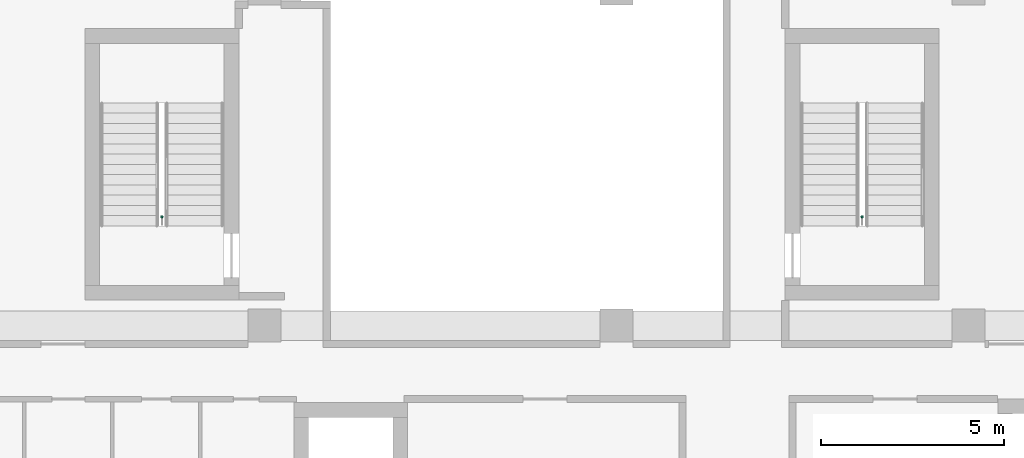
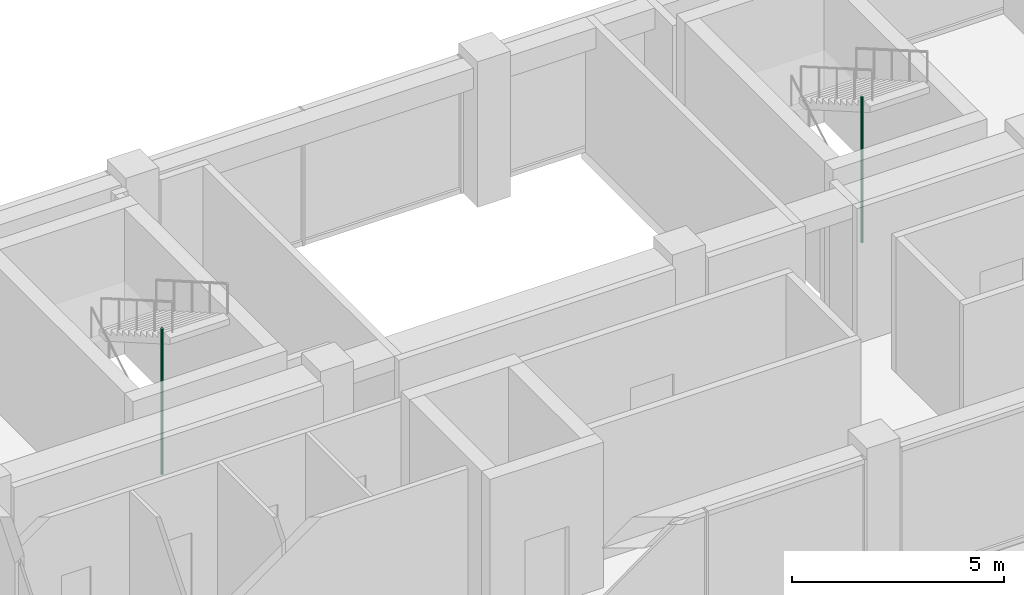
# One storey, part 35 of 37: 2 pipe segments.
"""IFC4 building model written with IfcOpenShell, lengths in metres."""

from ifc_helpers import new_model, si_unit, direction, frame, origin, origin_2d, place, context, subcontext, project, spatial, circle, extrude, element, save


model = new_model("IFC4")

# Units and contexts
model_context = context("Model", 3, precision=1e-05, world=origin(), true_north=direction((0.0, 1.0)))
body_context = subcontext(model_context, "Body", "Model", "MODEL_VIEW")
ifc_project = project(units=[si_unit("LENGTHUNIT", "METRE"), si_unit("AREAUNIT", "SQUARE_METRE"), si_unit("VOLUMEUNIT", "CUBIC_METRE"), si_unit("PLANEANGLEUNIT", "RADIAN"), si_unit("MASSUNIT", "GRAM", prefix="KILO")], contexts=[model_context])

# Site, building, storey
site_placement = place(None, origin())
site = spatial("IfcSite", under=ifc_project, at=site_placement, CompositionType="ELEMENT")
building_placement = place(site_placement, origin())
building = spatial("IfcBuilding", under=site, at=building_placement, Name="Nzadi Deep Aquarium and Research Tower", CompositionType="ELEMENT")
storey_placement = place(building_placement, frame((0.0, 0.0, 61.300048828125)))
storey = spatial("IfcBuildingStorey", under=building, at=storey_placement, Name="L12", CompositionType="ELEMENT", Elevation=61.300048828125)

# Pipe segments
for number, where, z_axis, x_axis, name in (
    (1, (6.800048828125, 39.77001953125, 0.0), (0.0, 0.0, 1.0), (1.0, 0.0, 0.0), "Dry riser ST-Z1-NW L12"),
    (2, (25.89990234375, 39.77001953125, 0.0), (0.0, 0.0, 1.0), (1.0, 0.0, 0.0), "Dry riser ST-Z1-NE L12"),
):
    element("IfcPipeSegment", number, at=place(storey_placement, frame(where, z_axis=z_axis, x_axis=x_axis)), inside=storey, Name=name, PredefinedType="RIGIDSEGMENT", context=body_context, shape_type="SweptSolid", body=[
        extrude(circle(Radius=0.034912109375, at=origin_2d()), origin(), (0.0, 0.0, 1.0), 4.199951171875),
    ])

save(model, "model.ifc")
